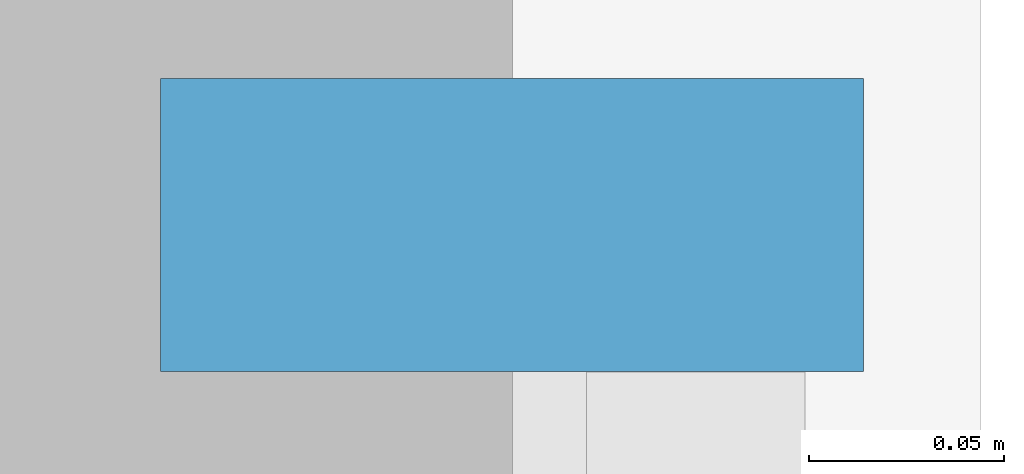
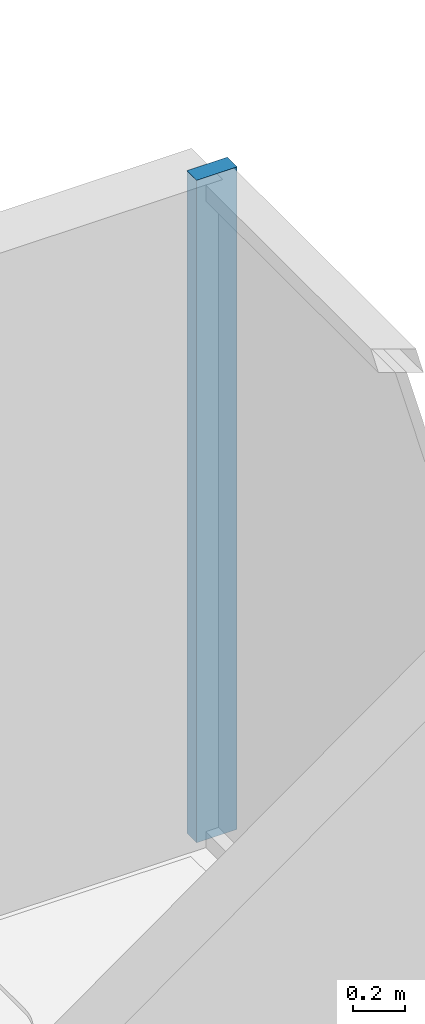
# One storey, part 6 of 13: 1 member, 1 element without a shape of its own.
"""IFC4 building model written with IfcOpenShell, lengths in metres."""

from ifc_helpers import new_model, si_unit, direction, frame, origin, origin_2d, place, context, subcontext, project, spatial, rectangle, extrude, source, transform, mapped, material, layer, layer_set, material_profile, profile_set, type_object, element, aggregate, save


model = new_model("IFC4")

# Units and contexts
model_context = context("Model", 3, precision=1e-05, world=origin(), true_north=direction((0.0, 1.0)))
body_context = subcontext(model_context, "Body", "Model", "MODEL_VIEW")
ifc_project = project(units=[si_unit("LENGTHUNIT", "METRE"), si_unit("AREAUNIT", "SQUARE_METRE"), si_unit("VOLUMEUNIT", "CUBIC_METRE"), si_unit("PLANEANGLEUNIT", "RADIAN"), si_unit("MASSUNIT", "GRAM", prefix="KILO")], contexts=[model_context])

# Site, building, storey
site_placement = place(None, origin())
site = spatial("IfcSite", under=ifc_project, at=site_placement, CompositionType="ELEMENT")
building_placement = place(site_placement, origin())
building = spatial("IfcBuilding", under=site, at=building_placement, Name="Qianlan Lanfeng Residences", CompositionType="ELEMENT")
storey_placement = place(building_placement, frame((0.0, 0.0, 159.0)))
storey = spatial("IfcBuildingStorey", under=building, at=storey_placement, Name="L43", CompositionType="ELEMENT", Elevation=159.0)

# Curtain wall, member
ifc_material = material(Name="Anodised Bronze Aluminium 6063-T6", Category="aluminium")
ifc_layer = layer(ifc_material, 0.219970703125)
ifc_layer_set = layer_set([ifc_layer], Name="Anodised Bronze Aluminium 6063-T6")
curtain_wall_type = type_object("IfcCurtainWallType", Name="CW-04", PredefinedType="NOTDEFINED", material=ifc_layer_set)
curtain_wall_placement = place(storey_placement, origin())
curtain_wall = element("IfcCurtainWall", 1, at=curtain_wall_placement, inside=storey, type_object=curtain_wall_type, Name="L43 Unitised Curtain Wall CWR-L43-05 (CW-04)", PredefinedType="NOTDEFINED")
ifc_material_profile = material_profile(ifc_material, rectangle(XDim=0.074951171875, YDim=0.179931640625, at=origin_2d()), Name="ALU MULLION 75x180")
ifc_profile_set = profile_set([ifc_material_profile], Name="Anodised Bronze Aluminium 6063-T6")
member_type = type_object("IfcMemberType", Name="CWM-180", PredefinedType="MULLION", material=ifc_profile_set)
shared_shape = source(origin(), body_context, "Body", "SweptSolid", [
    extrude(rectangle(XDim=0.074951171875, YDim=0.179931640625, at=origin_2d()), origin(), (0.0, 0.0, 1.0), 3.10009765625),
])
member_placement = place(storey_placement, frame((48.679931640625, 35.892578125, 0.0), z_axis=(0.0, 0.0, 1.0), x_axis=(0.0, 1.0, 0.0)))
member = element("IfcMember", 2, at=member_placement, type_object=member_type, Name="CWR-L43-05 Mullion 3", PredefinedType="MULLION", context=body_context, shape_type="MappedRepresentation", body=[
    mapped(shared_shape, transform((0.0, 0.0, 0.0), scale=1.0)),
])
aggregate(curtain_wall, [member])

save(model, "model.ifc")
